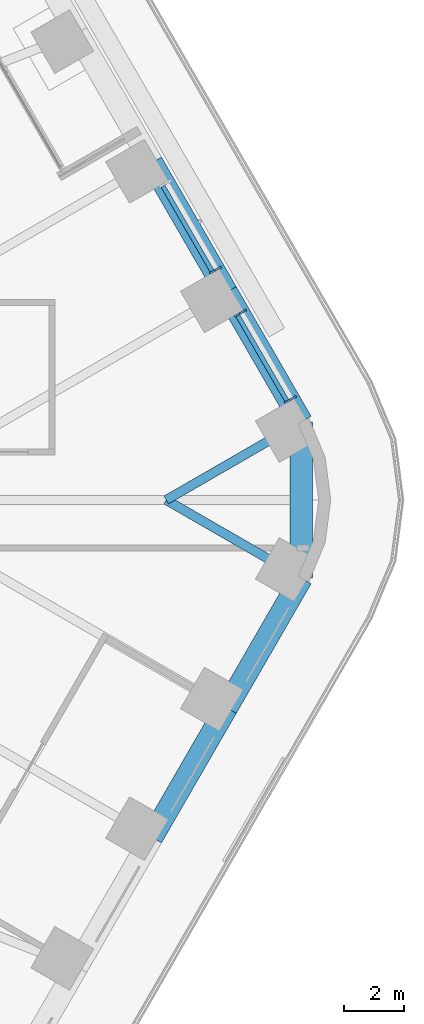
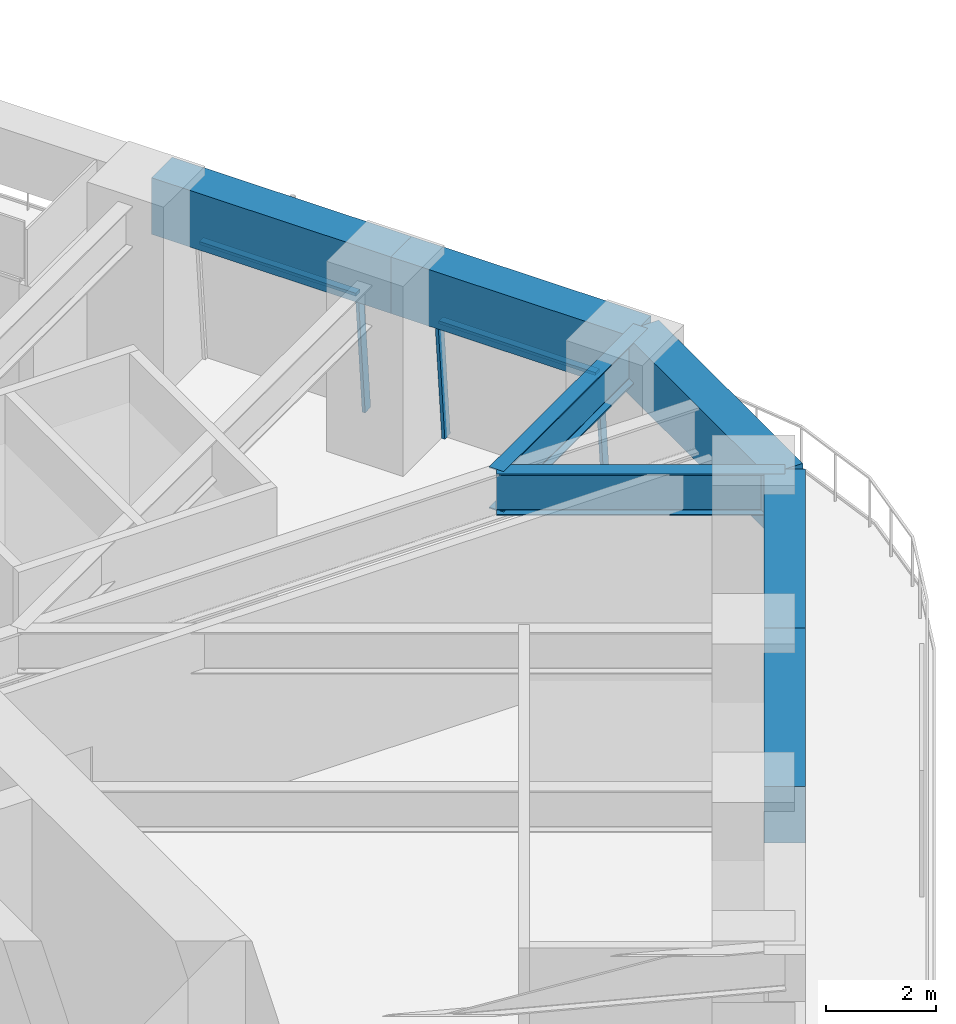
# One storey, part 14 of 24: 7 beams, 5 members, 2 elements without a shape of their own.
"""IFC4 building model written with IfcOpenShell, lengths in metres."""

from ifc_helpers import new_model, si_unit, direction, frame, origin, origin_2d, place, context, subcontext, project, spatial, rectangle, i_section, extrude, material, material_profile, profile_set, type_object, element, aggregate, save


model = new_model("IFC4")

# Units and contexts
model_context = context("Model", 3, precision=1e-05, world=origin(), true_north=direction((0.0, 1.0)))
body_context = subcontext(model_context, "Body", "Model", "MODEL_VIEW")
ifc_project = project(units=[si_unit("LENGTHUNIT", "METRE"), si_unit("AREAUNIT", "SQUARE_METRE"), si_unit("VOLUMEUNIT", "CUBIC_METRE"), si_unit("PLANEANGLEUNIT", "RADIAN"), si_unit("MASSUNIT", "GRAM", prefix="KILO")], contexts=[model_context])

# Site, building, storey
site_placement = place(None, origin())
site = spatial("IfcSite", under=ifc_project, at=site_placement, CompositionType="ELEMENT")
building_placement = place(site_placement, origin())
building = spatial("IfcBuilding", under=site, at=building_placement, Name="Tarfa Lantern Tower", CompositionType="ELEMENT")
storey_placement = place(building_placement, frame((0.0, 0.0, 157.300048828125)))
storey = spatial("IfcBuildingStorey", under=building, at=storey_placement, Name="L35", CompositionType="ELEMENT", Elevation=157.300048828125)

# Curtain wall, members
ifc_material_1 = material(Name="Aluminium framed curtain wall", Category="aluminium")
curtain_wall_type = type_object("IfcCurtainWallType", Name="CW2 CANTED GLAZING MID ZONE 2750", PredefinedType="USERDEFINED", material=ifc_material_1)
curtain_wall_1_placement = place(storey_placement, origin())
curtain_wall_1 = element("IfcCurtainWall", 1, at=curtain_wall_1_placement, inside=storey, type_object=curtain_wall_type, Name="CW2 NE L35", ObjectType="CURTAIN WALL", PredefinedType="USERDEFINED")
ifc_material_2 = material(Name="Aluminium mullion", Category="aluminium")
ifc_material_profile_1 = material_profile(ifc_material_2, rectangle(XDim=0.06494140625, YDim=0.199951171875, at=origin_2d()), Name="AL MULLION 65x200")
ifc_profile_set_1 = profile_set([ifc_material_profile_1], Name="Aluminium mullion")
member_type_1 = type_object("IfcMemberType", Name="CWM1 MULLION 65x200", PredefinedType="MULLION", material=ifc_profile_set_1)
member_1_placement = place(storey_placement, frame((34.282470703125, 3.4208984375, 0.0), z_axis=(-0.078422950161, -0.045267813396, 0.995891894715), x_axis=(0.499919672301, -0.866071776036, 0.0)))
member_1 = element("IfcMember", 2, at=member_1_placement, type_object=member_type_1, Name="CW2 mullion 1", PredefinedType="MULLION", context=body_context, shape_type="SweptSolid", body=[
    extrude(rectangle(XDim=0.06494140625, YDim=0.199951171875, at=origin_2d()), origin(), (0.0, 0.0, 1.0), 2.76123046875),
])
member_2_placement = place(storey_placement, frame((32.613037109375, 6.312255859375, 0.0), z_axis=(-0.078335079308, -0.045268127094, 0.995898796073), x_axis=(0.500342721131, -0.865827443207, 0.0)))
member_2 = element("IfcMember", 3, at=member_2_placement, type_object=member_type_1, Name="CW2 mullion 2", PredefinedType="MULLION", context=body_context, shape_type="SweptSolid", body=[
    extrude(rectangle(XDim=0.06494140625, YDim=0.199951171875, at=origin_2d()), origin(), (0.0, 0.0, 1.0), 2.76123046875),
])

# Curtain wall, member
curtain_wall_2_placement = place(storey_placement, origin())
curtain_wall_2 = element("IfcCurtainWall", 4, at=curtain_wall_2_placement, inside=storey, type_object=curtain_wall_type, Name="CW2 NE L35", ObjectType="CURTAIN WALL", PredefinedType="USERDEFINED")
member_3_placement = place(storey_placement, frame((31.78076171875, 7.75439453125, 0.0), z_axis=(-0.078422950161, -0.045267813396, 0.995891894715), x_axis=(0.499919672301, -0.866071776036, 0.0)))
member_3 = element("IfcMember", 5, at=member_3_placement, type_object=member_type_1, Name="CW2 mullion 1", PredefinedType="MULLION", context=body_context, shape_type="SweptSolid", body=[
    extrude(rectangle(XDim=0.06494140625, YDim=0.199951171875, at=origin_2d()), origin(), (0.0, 0.0, 1.0), 2.76123046875),
])

# Member
ifc_material_3 = material(Name="Aluminium transom", Category="aluminium")
ifc_material_profile_2 = material_profile(ifc_material_3, rectangle(XDim=0.14990234375, YDim=0.06494140625, at=origin_2d()), Name="AL TRANSOM 150x65")
ifc_profile_set_2 = profile_set([ifc_material_profile_2], Name="Aluminium transom")
member_type_2 = type_object("IfcMemberType", Name="CWT1 TRANSOM 150x65", PredefinedType="USERDEFINED", material=ifc_profile_set_2)
member_4_placement = place(storey_placement, frame((34.05224609375, 3.32568359375, 2.717529296875), z_axis=(-0.499989298045, 0.866031582473, 0.0), x_axis=(-0.866031582473, -0.499989298045, 0.0)))
member_4 = element("IfcMember", 6, at=member_4_placement, type_object=member_type_2, Name="CW2 transom 1.2", ObjectType="TRANSOM", PredefinedType="USERDEFINED", context=body_context, shape_type="SweptSolid", body=[
    extrude(rectangle(XDim=0.14990234375, YDim=0.06494140625, at=origin_2d()), origin(), (0.0, 0.0, 1.0), 3.2734375),
])

aggregate(curtain_wall_1, [member_1, member_2, member_4])

member_5_placement = place(storey_placement, frame((31.550537109375, 7.658935546875, 2.717529296875), z_axis=(-0.500012937857, 0.86601793398, 0.0), x_axis=(-0.86601793398, -0.500012937857, 0.0)))
member_5 = element("IfcMember", 7, at=member_5_placement, type_object=member_type_2, Name="CW2 transom 1.2", ObjectType="TRANSOM", PredefinedType="USERDEFINED", context=body_context, shape_type="SweptSolid", body=[
    extrude(rectangle(XDim=0.14990234375, YDim=0.06494140625, at=origin_2d()), origin(), (0.0, 0.0, 1.0), 3.27392578125),
])

aggregate(curtain_wall_2, [member_3, member_5])

# Beams
ifc_material_4 = material(Name="Concrete C80/95", Category="concrete")
ifc_material_profile_3 = material_profile(ifc_material_4, rectangle(XDim=0.75, YDim=1.25, at=origin_2d()), Name="RC 750x1250")
ifc_profile_set_3 = profile_set([ifc_material_profile_3], Name="Concrete C80/95")
beam_type_1 = type_object("IfcBeamType", Name="EB2 RC 750x1250", PredefinedType="SPANDREL", material=ifc_profile_set_3)
for number, where, z_axis, x_axis, name in (
    (8, (34.54296875, 2.610107421875, 3.375), (-0.500022324899, 0.866012514114, 0.0), (-0.866012514114, -0.500022324899, 0.0), "Edge beam NE0"),
    (9, (32.041015625, 6.943359375, 3.375), (-0.500022324899, 0.866012514114, 0.0), (-0.866012514114, -0.500022324899, 0.0), "Edge beam NE1"),
    (10, (29.5390625, -11.276611328125, 3.375), (0.500022324899, 0.866012514114, 0.0), (-0.866012514114, 0.500022324899, 0.0), "Edge beam SE4"),
    (11, (32.041015625, -6.943359375, 3.375), (0.500022324899, 0.866012514114, 0.0), (-0.866012514114, 0.500022324899, 0.0), "Edge beam SE5"),
):
    element("IfcBeam", number, at=place(storey_placement, frame(where, z_axis=z_axis, x_axis=x_axis)), inside=storey, type_object=beam_type_1, Name=name, PredefinedType="SPANDREL", context=body_context, shape_type="SweptSolid", body=[
        extrude(rectangle(XDim=0.75, YDim=1.25, at=origin_2d()), origin(), (0.0, 0.0, 1.0), 5.003662109375),
    ])
beam_placement = place(storey_placement, frame((34.54296875, -2.610107421875, 3.375), z_axis=(0.0, 1.0, 0.0), x_axis=(-1.0, 0.0, 0.0)))
element("IfcBeam", 12, at=beam_placement, inside=storey, type_object=beam_type_1, Name="Edge beam SE6", PredefinedType="SPANDREL", context=body_context, shape_type="SweptSolid", body=[
    extrude(rectangle(XDim=0.75, YDim=1.25, at=origin_2d()), origin(), (0.0, 0.0, 1.0), 5.22021484375),
])
ifc_material_5 = material(Name="Steel S460M", Category="steel")
ifc_material_profile_4 = material_profile(ifc_material_5, i_section(OverallWidth=0.305419921875, OverallDepth=0.91845703125, WebThickness=0.017333984375, FlangeThickness=0.02783203125, FilletRadius=0.01904296875, at=origin_2d()), Name="UB914x305x253")
ifc_profile_set_4 = profile_set([ifc_material_profile_4], Name="Steel S460M")
beam_type_2 = type_object("IfcBeamType", Name="UB914x305x253", PredefinedType="BEAM", material=ifc_profile_set_4)
for number, where, z_axis, x_axis, name in (
    (13, (34.54296875, 2.610107421875, 3.540771484375), (-0.866021250859, -0.500007193008, 0.0), (0.500007193008, -0.866021250859, 0.0), "Floor beam NE0"),
    (14, (34.54296875, -2.610107421875, 3.540771484375), (-0.866021250859, 0.500007193008, 0.0), (-0.500007193008, -0.866021250859, 0.0), "Floor beam SE6"),
):
    element("IfcBeam", number, at=place(storey_placement, frame(where, z_axis=z_axis, x_axis=x_axis)), inside=storey, type_object=beam_type_2, Name=name, PredefinedType="BEAM", context=body_context, shape_type="SweptSolid", body=[
        extrude(i_section(OverallWidth=0.305419921875, OverallDepth=0.91845703125, WebThickness=0.017333984375, FlangeThickness=0.02783203125, FilletRadius=0.01904296875, at=origin_2d()), origin(), (0.0, 0.0, 1.0), 5.22021484375),
    ])

save(model, "model.ifc")
